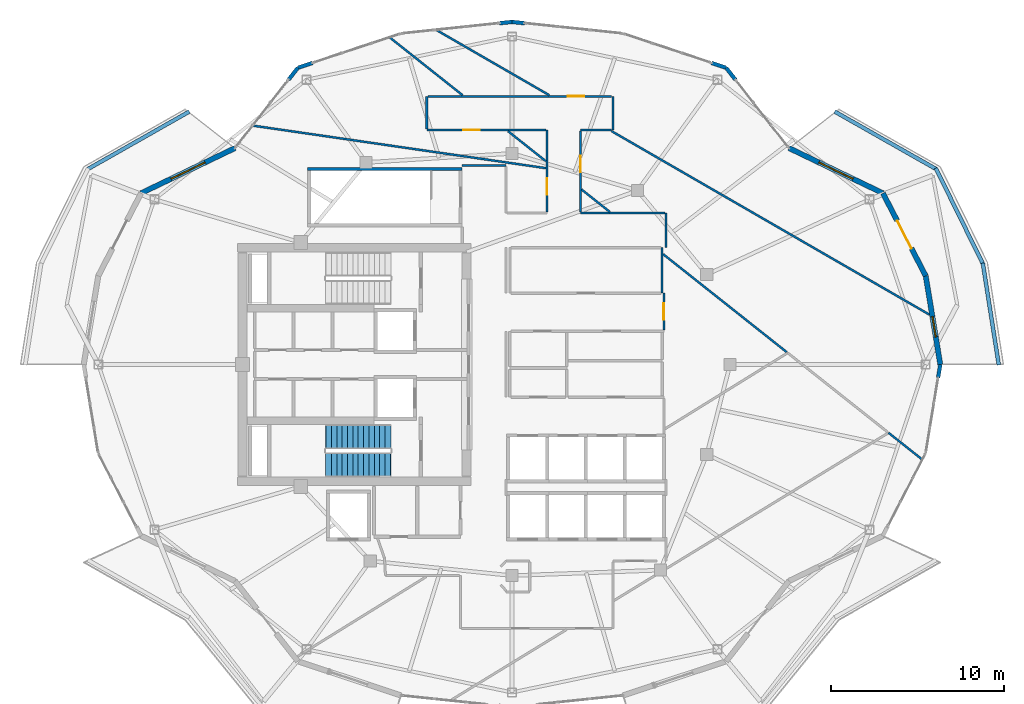
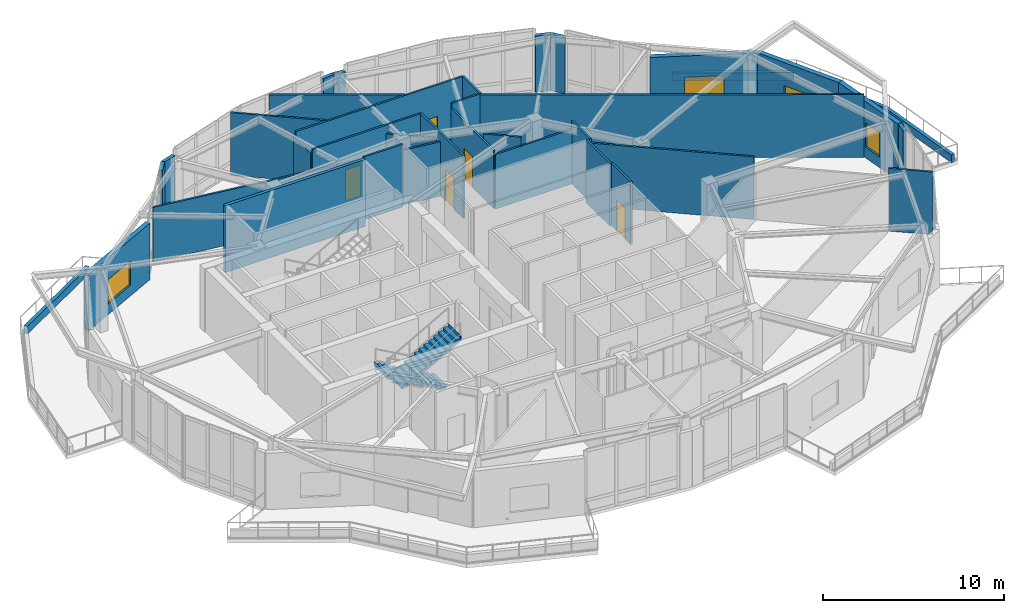
# One storey, part 12 of 15: 36 walls, 6 doors, 3 windows, 2 stair flights, 9 openings, 1 element without a shape of its own.
"""IFC4 building model written with IfcOpenShell, lengths in metres."""

from ifc_helpers import new_model, si_unit, direction, frame, frame_2d, origin, place, context, subcontext, project, spatial, polyline, rectangle, outline, extrude, material, layer, layer_set, type_object, element, fill, aggregate, save


model = new_model("IFC4")

# Units and contexts
model_context = context("Model", 3, precision=1e-05, world=origin(), true_north=direction((0.0, 1.0)))
body_context = subcontext(model_context, "Body", "Model", "MODEL_VIEW")
ifc_project = project(units=[si_unit("LENGTHUNIT", "METRE"), si_unit("AREAUNIT", "SQUARE_METRE"), si_unit("VOLUMEUNIT", "CUBIC_METRE"), si_unit("PLANEANGLEUNIT", "RADIAN"), si_unit("MASSUNIT", "GRAM", prefix="KILO")], contexts=[model_context])

# Site, building, storey
site_placement = place(None, origin())
site = spatial("IfcSite", under=ifc_project, at=site_placement, CompositionType="ELEMENT")
building_placement = place(site_placement, origin())
building = spatial("IfcBuilding", under=site, at=building_placement, Name="Kolvaren Gate Tower and Convention Centre", CompositionType="ELEMENT")
storey_placement = place(building_placement, frame((0.0, 0.0, 191.89990234375)))
storey = spatial("IfcBuildingStorey", under=building, at=storey_placement, Name="L50", CompositionType="ELEMENT", Elevation=191.89990234375)

# Walls
ifc_material_1 = material(Name="Fire-Rated Acoustic Gypsum Stud Partition", Category="gypsum")
ifc_layer_1 = layer(ifc_material_1, 0.1201171875)
ifc_layer_set_1 = layer_set([ifc_layer_1], Name="Fire-Rated Acoustic Gypsum Stud Partition")
wall_type_1 = type_object("IfcWallType", Name="ARCH-WL-PART-120", PredefinedType="PARTITIONING", material=ifc_layer_set_1)
wall_1_placement = place(storey_placement, frame((38.800048828125, 31.1201171875, 0.0), z_axis=(0.0, 0.0, 1.0), x_axis=(0.0, 1.0, 0.0)))
element("IfcWall", 1, at=wall_1_placement, inside=storey, type_object=wall_type_1, Name="Interior Partition WL-L50-INT-024", PredefinedType="PARTITIONING", context=body_context, shape_type="SweptSolid", body=[
    extrude(rectangle(XDim=2.6298828125, YDim=0.1201171875, at=frame_2d((1.31494140625, 0.0))), origin(), (0.0, 0.0, 1.0), 4.22998046875),
])
wall_2_placement = place(storey_placement, frame((39.02001953125, 33.75, 0.0), z_axis=(0.0, 0.0, 1.0), x_axis=(0.0, 1.0, 0.0)))
element("IfcWall", 2, at=wall_2_placement, inside=storey, type_object=wall_type_1, Name="Interior Partition WL-L50-INT-028", PredefinedType="PARTITIONING", context=body_context, shape_type="SweptSolid", body=[
    extrude(rectangle(XDim=2.0, YDim=0.1201171875, at=frame_2d((1.0, 0.0))), origin(), (0.0, 0.0, 1.0), 4.22998046875),
])
wall_3_placement = place(storey_placement, frame((35.949951171875, 40.550048828125, 0.0), z_axis=(0.0, 0.0, 1.0), x_axis=(0.0, 1.0, 0.0)))
element("IfcWall", 3, at=wall_3_placement, inside=storey, type_object=wall_type_1, Name="Interior Partition WL-L50-INT-032", PredefinedType="PARTITIONING", context=body_context, shape_type="SweptSolid", body=[
    extrude(rectangle(XDim=1.949951171875, YDim=0.1201171875, at=frame_2d((0.97509765625, 0.0))), origin(), (0.0, 0.0, 1.0), 4.22998046875),
])
wall_4_placement = place(storey_placement, frame((27.25, 38.5, 0.0), z_axis=(0.0, 0.0, 1.0), x_axis=(1.0, 0.0, 0.0)))
element("IfcWall", 4, at=wall_4_placement, inside=storey, type_object=wall_type_1, Name="Interior Partition WL-L50-INT-038", PredefinedType="PARTITIONING", context=body_context, shape_type="SweptSolid", body=[
    extrude(rectangle(XDim=2.530029296875, YDim=0.1201171875, at=frame_2d((1.26513671875, 0.0))), origin(), (0.0, 0.0, 1.0), 4.22998046875),
])
wall_5_placement = place(storey_placement, frame((34.080078125, 35.75, 0.0), z_axis=(0.0, 0.0, 1.0), x_axis=(1.0, 0.0, 0.0)))
element("IfcWall", 5, at=wall_5_placement, inside=storey, type_object=wall_type_1, Name="Interior Partition WL-L50-INT-044", PredefinedType="PARTITIONING", context=body_context, shape_type="SweptSolid", body=[
    extrude(rectangle(XDim=4.8779296875, YDim=0.1201171875, at=frame_2d((2.43896484375, 0.0))), origin(), (0.0, 0.0, 1.0), 3.677978515625),
])

# Wall, opening, door
wall_6_placement = place(storey_placement, frame((32.14990234375, 35.81201171875, 0.0), z_axis=(0.0, 0.0, 1.0), x_axis=(0.0, 1.0, 0.0)))
wall_6 = element("IfcWall", 6, at=wall_6_placement, inside=storey, type_object=wall_type_1, Name="Interior Partition WL-L50-INT-045", PredefinedType="PARTITIONING", context=body_context, shape_type="SweptSolid", body=[
    extrude(rectangle(XDim=4.738037109375, YDim=0.1201171875, at=frame_2d((2.369140625, 0.0))), origin(), (0.0, 0.0, 1.0), 4.22998046875),
])
opening_1_placement = place(wall_6_placement, frame((0.994384765625, 0.0, 0.0)))
opening_1 = element("IfcOpeningElement", 7, at=opening_1_placement, cuts=wall_6, Name="Opening DR-01", PredefinedType="OPENING", context=body_context, shape_type="SweptSolid", body=[
    extrude(rectangle(XDim=0.949951171875, YDim=2.10009765625, at=frame_2d((0.47509765625, 1.050048828125))), frame((0.0, 0.070068359375, 0.0), z_axis=(0.0, -1.0, 0.0), x_axis=(1.0, 0.0, 0.0)), (0.0, 0.0, 1.0), 0.14013671875),
])
ifc_material_2 = material(Name="Painted Architectural Steelwork ASTM A500 Grade C 345 MPa", Category="steel")
door_type_1 = type_object("IfcDoorType", Name="ARCH-DR-RISER-950", OperationType="SINGLE_SWING_RIGHT", PredefinedType="DOOR", material=ifc_material_2)
door_1_placement = place(opening_1_placement, origin())
door_1 = element("IfcDoor", 8, at=door_1_placement, inside=storey, type_object=door_type_1, Name="High-Zone Sky Boutique Door", OperationType="SINGLE_SWING_LEFT", OverallHeight=2.10009765625, OverallWidth=0.949951171875, PredefinedType="DOOR", context=body_context, shape_type="SweptSolid", body=[
    extrude(rectangle(XDim=0.949951171875, YDim=2.10009765625, at=frame_2d((0.47509765625, 1.050048828125))), frame((0.0, 0.02490234375, 0.0), z_axis=(0.0, -1.0, 0.0), x_axis=(1.0, 0.0, 0.0)), (0.0, 0.0, 1.0), 0.050048828125),
])
fill(opening_1, door_1)

wall_7_placement = place(storey_placement, frame((25.199951171875, 40.550048828125, 0.0), z_axis=(0.0, 0.0, 1.0), x_axis=(1.0, 0.0, 0.0)))
wall_7 = element("IfcWall", 9, at=wall_7_placement, inside=storey, type_object=wall_type_1, Name="Interior Partition WL-L50-INT-046", PredefinedType="PARTITIONING", context=body_context, shape_type="SweptSolid", body=[
    extrude(rectangle(XDim=6.887939453125, YDim=0.1201171875, at=frame_2d((3.44384765625, 0.0))), origin(), (0.0, 0.0, 1.0), 4.22998046875),
])
opening_2_placement = place(wall_7_placement, frame((2.113037109375, 0.0, 0.0)))
opening_2 = element("IfcOpeningElement", 10, at=opening_2_placement, cuts=wall_7, Name="Opening DR-01", PredefinedType="OPENING", context=body_context, shape_type="SweptSolid", body=[
    extrude(rectangle(XDim=0.949951171875, YDim=2.10009765625, at=frame_2d((0.47509765625, 1.050048828125))), frame((0.0, 0.070068359375, 0.0), z_axis=(0.0, -1.0, 0.0), x_axis=(1.0, 0.0, 0.0)), (0.0, 0.0, 1.0), 0.14013671875),
])
door_2_placement = place(opening_2_placement, origin())
door_2 = element("IfcDoor", 11, at=door_2_placement, inside=storey, type_object=door_type_1, Name="Artisan Jewellery Showroom Door", OperationType="SINGLE_SWING_RIGHT", OverallHeight=2.10009765625, OverallWidth=0.949951171875, PredefinedType="DOOR", context=body_context, shape_type="SweptSolid", body=[
    extrude(rectangle(XDim=0.949951171875, YDim=2.10009765625, at=frame_2d((0.47509765625, 1.050048828125))), frame((0.0, 0.02490234375, 0.0), z_axis=(0.0, -1.0, 0.0), x_axis=(1.0, 0.0, 0.0)), (0.0, 0.0, 1.0), 0.050048828125),
])
fill(opening_2, door_2)

# Walls
wall_8_placement = place(storey_placement, frame((34.080078125, 40.550048828125, 0.0), z_axis=(0.0, 0.0, 1.0), x_axis=(1.0, 0.0, 0.0)))
element("IfcWall", 12, at=wall_8_placement, inside=storey, type_object=wall_type_1, Name="Interior Partition WL-L50-INT-047", PredefinedType="PARTITIONING", context=body_context, shape_type="SweptSolid", body=[
    extrude(rectangle(XDim=1.807861328125, YDim=0.1201171875, at=frame_2d((0.90380859375, 0.0))), origin(), (0.0, 0.0, 1.0), 4.22998046875),
])
wall_9_placement = place(storey_placement, frame((25.199951171875, 40.612060546875, 0.0), z_axis=(0.0, 0.0, 1.0), x_axis=(0.0, 1.0, 0.0)))
element("IfcWall", 13, at=wall_9_placement, inside=storey, type_object=wall_type_1, Name="Interior Partition WL-L50-INT-048", PredefinedType="PARTITIONING", context=body_context, shape_type="SweptSolid", body=[
    extrude(rectangle(XDim=1.887939453125, YDim=0.1201171875, at=frame_2d((0.94384765625, 0.0))), origin(), (0.0, 0.0, 1.0), 3.912109375),
])

# Wall, opening, door
wall_10_placement = place(storey_placement, frame((25.261962890625, 42.5, 0.0), z_axis=(0.0, 0.0, 1.0), x_axis=(1.0, 0.0, 0.0)))
wall_10 = element("IfcWall", 14, at=wall_10_placement, inside=storey, type_object=wall_type_1, Name="Interior Partition WL-L50-INT-049", PredefinedType="PARTITIONING", context=body_context, shape_type="SweptSolid", body=[
    extrude(rectangle(XDim=10.6259765625, YDim=0.1201171875, at=frame_2d((5.31298828125, 0.0))), origin(), (0.0, 0.0, 1.0), 4.22998046875),
])
opening_3_placement = place(wall_10_placement, frame((8.077392578125, 0.0, 0.0)))
opening_3 = element("IfcOpeningElement", 15, at=opening_3_placement, cuts=wall_10, Name="Opening DR-01", PredefinedType="OPENING", context=body_context, shape_type="SweptSolid", body=[
    extrude(rectangle(XDim=0.949951171875, YDim=2.10009765625, at=frame_2d((0.47509765625, 1.050048828125))), frame((0.0, 0.070068359375, 0.0), z_axis=(0.0, -1.0, 0.0), x_axis=(1.0, 0.0, 0.0)), (0.0, 0.0, 1.0), 0.14013671875),
])
door_3_placement = place(opening_3_placement, origin())
door_3 = element("IfcDoor", 16, at=door_3_placement, inside=storey, type_object=door_type_1, Name="High-Zone Sky Boutique Door", OperationType="SINGLE_SWING_LEFT", OverallHeight=2.10009765625, OverallWidth=0.949951171875, PredefinedType="DOOR", context=body_context, shape_type="SweptSolid", body=[
    extrude(rectangle(XDim=0.949951171875, YDim=2.10009765625, at=frame_2d((0.47509765625, 1.050048828125))), frame((0.0, 0.02490234375, 0.0), z_axis=(0.0, -1.0, 0.0), x_axis=(1.0, 0.0, 0.0)), (0.0, 0.0, 1.0), 0.050048828125),
])
fill(opening_3, door_3)

wall_11_placement = place(storey_placement, frame((34.080078125, 35.81201171875, 0.0), z_axis=(0.0, 0.0, 1.0), x_axis=(0.0, 1.0, 0.0)))
wall_11 = element("IfcWall", 17, at=wall_11_placement, inside=storey, type_object=wall_type_1, Name="Interior Partition WL-L50-INT-050", PredefinedType="PARTITIONING", context=body_context, shape_type="SweptSolid", body=[
    extrude(rectangle(XDim=4.676025390625, YDim=0.1201171875, at=frame_2d((2.337890625, 0.0))), origin(), (0.0, 0.0, 1.0), 3.912109375),
])
opening_4_placement = place(wall_11_placement, frame((2.304931640625, 0.0, 0.0)))
opening_4 = element("IfcOpeningElement", 18, at=opening_4_placement, cuts=wall_11, Name="Opening DR-01", PredefinedType="OPENING", context=body_context, shape_type="SweptSolid", body=[
    extrude(rectangle(XDim=0.949951171875, YDim=2.10009765625, at=frame_2d((0.47509765625, 1.050048828125))), frame((0.0, 0.070068359375, 0.0), z_axis=(0.0, -1.0, 0.0), x_axis=(1.0, 0.0, 0.0)), (0.0, 0.0, 1.0), 0.14013671875),
])
door_4_placement = place(opening_4_placement, origin())
door_4 = element("IfcDoor", 19, at=door_4_placement, inside=storey, type_object=door_type_1, Name="Sky Design Gallery Showroom Door", OperationType="SINGLE_SWING_RIGHT", OverallHeight=2.10009765625, OverallWidth=0.949951171875, PredefinedType="DOOR", context=body_context, shape_type="SweptSolid", body=[
    extrude(rectangle(XDim=0.949951171875, YDim=2.10009765625, at=frame_2d((0.47509765625, 1.050048828125))), frame((0.0, 0.02490234375, 0.0), z_axis=(0.0, -1.0, 0.0), x_axis=(1.0, 0.0, 0.0)), (0.0, 0.0, 1.0), 0.050048828125),
])
fill(opening_4, door_4)

wall_12_placement = place(storey_placement, frame((38.89990234375, 28.9970703125, 0.0), z_axis=(0.0, 0.0, 1.0), x_axis=(0.0, 1.0, 0.0)))
wall_12 = element("IfcWall", 20, at=wall_12_placement, inside=storey, type_object=wall_type_1, Name="Interior Partition WL-L50-INT-052", PredefinedType="PARTITIONING", context=body_context, shape_type="SweptSolid", body=[
    extrude(rectangle(XDim=2.123046875, YDim=0.1201171875, at=frame_2d((1.0615234375, 0.0))), origin(), (0.0, 0.0, 1.0), 4.22998046875),
])
opening_5_placement = place(wall_12_placement, frame((0.58642578125, 0.0, 0.0)))
opening_5 = element("IfcOpeningElement", 21, at=opening_5_placement, cuts=wall_12, Name="Opening DR-01", PredefinedType="OPENING", context=body_context, shape_type="SweptSolid", body=[
    extrude(rectangle(XDim=0.949951171875, YDim=2.10009765625, at=frame_2d((0.47509765625, 1.050048828125))), frame((0.0, 0.070068359375, 0.0), z_axis=(0.0, -1.0, 0.0), x_axis=(1.0, 0.0, 0.0)), (0.0, 0.0, 1.0), 0.14013671875),
])
door_5_placement = place(opening_5_placement, origin())
door_5 = element("IfcDoor", 22, at=door_5_placement, inside=storey, type_object=door_type_1, Name="High-Zone Transfer Reception Door", OperationType="SINGLE_SWING_LEFT", OverallHeight=2.10009765625, OverallWidth=0.949951171875, PredefinedType="DOOR", context=body_context, shape_type="SweptSolid", body=[
    extrude(rectangle(XDim=0.949951171875, YDim=2.10009765625, at=frame_2d((0.47509765625, 1.050048828125))), frame((0.0, 0.02490234375, 0.0), z_axis=(0.0, -1.0, 0.0), x_axis=(1.0, 0.0, 0.0)), (0.0, 0.0, 1.0), 0.050048828125),
])
fill(opening_5, door_5)

# Walls
wall_13_placement = place(storey_placement, frame((15.16162109375, 40.803466796875, 0.0), z_axis=(0.0, 0.0, 1.0), x_axis=(0.9896318604, -0.143627228896, 0.0)))
element("IfcWall", 23, at=wall_13_placement, inside=storey, type_object=wall_type_1, Name="Interior Partition WL-L50-INT-057", PredefinedType="PARTITIONING", context=body_context, shape_type="SweptSolid", body=[
    extrude(rectangle(XDim=17.103515625, YDim=0.1201171875, at=frame_2d((8.5517578125, 0.0))), origin(), (0.0, 0.0, 1.0), 3.677978515625),
])
wall_14_placement = place(storey_placement, frame((23.076171875, 45.887939453125, 0.0), z_axis=(0.0, 0.0, 1.0), x_axis=(0.78369436583, -0.62114663403, 0.0)))
element("IfcWall", 24, at=wall_14_placement, inside=storey, type_object=wall_type_1, Name="Interior Partition WL-L50-INT-062", PredefinedType="PARTITIONING", context=body_context, shape_type="SweptSolid", body=[
    extrude(rectangle(XDim=5.3544921875, YDim=0.1201171875, at=frame_2d((2.67724609375, 0.0))), origin(), (0.0, 0.0, 1.0), 4.22998046875),
])
wall_15_placement = place(storey_placement, frame((29.88916015625, 40.488037109375, 0.0), z_axis=(0.0, 0.0, 1.0), x_axis=(0.783653963105, -0.62119760633, 0.0)))
element("IfcWall", 25, at=wall_15_placement, inside=storey, type_object=wall_type_1, Name="Interior Partition WL-L50-INT-063", PredefinedType="PARTITIONING", context=body_context, shape_type="SweptSolid", body=[
    extrude(rectangle(XDim=2.8056640625, YDim=0.1201171875, at=frame_2d((1.40283203125, 0.0))), origin(), (0.0, 0.0, 1.0), 3.677978515625),
])
wall_16_placement = place(storey_placement, frame((34.14208984375, 37.1171875, 0.0), z_axis=(0.0, 0.0, 1.0), x_axis=(0.783649817648, -0.621202835876, 0.0)))
element("IfcWall", 26, at=wall_16_placement, inside=storey, type_object=wall_type_1, Name="Interior Partition WL-L50-INT-064", PredefinedType="PARTITIONING", context=body_context, shape_type="SweptSolid", body=[
    extrude(rectangle(XDim=2.10107421875, YDim=0.1201171875, at=frame_2d((1.050537109375, 0.0))), origin(), (0.0, 0.0, 1.0), 4.22998046875),
])
wall_17_placement = place(storey_placement, frame((38.862060546875, 33.3759765625, 0.0), z_axis=(0.0, 0.0, 1.0), x_axis=(0.78368115762, -0.621163298329, 0.0)))
element("IfcWall", 27, at=wall_17_placement, inside=storey, type_object=wall_type_1, Name="Interior Partition WL-L50-INT-065", PredefinedType="PARTITIONING", context=body_context, shape_type="SweptSolid", body=[
    extrude(rectangle(XDim=9.112548828125, YDim=0.1201171875, at=frame_2d((4.55615234375, 0.0))), origin(), (0.0, 0.0, 1.0), 4.22998046875),
])
wall_18_placement = place(storey_placement, frame((51.880859375, 23.056884765625, 0.0), z_axis=(0.0, 0.0, 1.0), x_axis=(0.783717801237, -0.62111706467, 0.0)))
element("IfcWall", 28, at=wall_18_placement, inside=storey, type_object=wall_type_1, Name="Interior Partition WL-L50-INT-065 (3)", PredefinedType="PARTITIONING", context=body_context, shape_type="SweptSolid", body=[
    extrude(rectangle(XDim=2.475830078125, YDim=0.1201171875, at=frame_2d((1.23779296875, 0.0))), origin(), (0.0, 0.0, 1.0), 4.22998046875),
])
wall_19_placement = place(storey_placement, frame((25.77587890625, 46.31884765625, 0.0), z_axis=(0.0, 0.0, 1.0), x_axis=(0.866051412203, -0.499954949392, 0.0)))
element("IfcWall", 29, at=wall_19_placement, inside=storey, type_object=wall_type_1, Name="Interior Partition WL-L50-INT-066", PredefinedType="PARTITIONING", context=body_context, shape_type="SweptSolid", body=[
    extrude(rectangle(XDim=7.514404296875, YDim=0.1201171875, at=frame_2d((3.75732421875, 0.0))), origin(), (0.0, 0.0, 1.0), 4.22998046875),
])
wall_20_placement = place(storey_placement, frame((35.87646484375, 40.488037109375, 0.0), z_axis=(0.0, 0.0, 1.0), x_axis=(0.866056021905, -0.49994696411, 0.0)))
element("IfcWall", 30, at=wall_20_placement, inside=storey, type_object=wall_type_1, Name="Interior Partition WL-L50-INT-067", PredefinedType="PARTITIONING", context=body_context, shape_type="SweptSolid", body=[
    extrude(rectangle(XDim=21.211181640625, YDim=0.1201171875, at=frame_2d((10.60546875, 0.0))), origin(), (0.0, 0.0, 1.0), 4.22998046875),
])
ifc_material_3 = material(Name="Bogota Sabana Bush-Hammered Sandstone Cladding", Category="masonry")
ifc_layer_2 = layer(ifc_material_3, 0.219970703125)
ifc_layer_set_2 = layer_set([ifc_layer_2], Name="Bogota Sabana Bush-Hammered Sandstone Cladding")
wall_type_2 = type_object("IfcWallType", Name="ARCH-WL-PIER-220", PredefinedType="SOLIDWALL", material=ifc_layer_set_2)
wall_21_placement = place(storey_placement, frame((42.5, 44.147216796875, 0.0), z_axis=(0.0, 0.0, 1.0), x_axis=(0.61650363284, -0.787352062736, 0.0)))
element("IfcWall", 31, at=wall_21_placement, inside=storey, type_object=wall_type_2, Name="L50 Panoramic Structural Curtain Wall CW-03 Left Column Pier Wrap", PredefinedType="SOLIDWALL", context=body_context, shape_type="SweptSolid", body=[
    extrude(rectangle(XDim=0.8759765625, YDim=0.219970703125, at=frame_2d((0.43798828125, 0.0))), origin(), (0.0, 0.0, 1.0), 3.80517578125),
])
wall_22_placement = place(storey_placement, frame((41.650146484375, 44.428955078125, 0.0), z_axis=(0.0, 0.0, 1.0), x_axis=(0.949200117388, -0.314673063909, 0.0)))
element("IfcWall", 32, at=wall_22_placement, inside=storey, type_object=wall_type_2, Name="L50 Panoramic Structural Curtain Wall CW-04 Right Column Pier Wrap", PredefinedType="SOLIDWALL", context=body_context, shape_type="SweptSolid", body=[
    extrude(rectangle(XDim=0.895263671875, YDim=0.219970703125, at=frame_2d((0.44775390625, 0.0))), origin(), (0.0, 0.0, 1.0), 3.80517578125),
])
for number, where, z_axis, x_axis, name in (
    (33, (30.125, 46.800048828125, 0.0), (0.0, 0.0, 1.0), (0.994492602029, -0.104806796106, 0.0), "L50 Panoramic Structural Curtain Wall CW-05 Left Column Pier Wrap"),
    (34, (29.39990234375, 46.7236328125, 0.0), (0.0, 0.0, 1.0), (0.994492602029, 0.104806796106, 0.0), "L50 Panoramic Structural Curtain Wall CW-06 Right Column Pier Wrap"),
):
    element("IfcWall", number, at=place(storey_placement, frame(where, z_axis=z_axis, x_axis=x_axis)), inside=storey, type_object=wall_type_2, Name=name, PredefinedType="SOLIDWALL", context=body_context, shape_type="SweptSolid", body=[
        extrude(rectangle(XDim=0.72900390625, YDim=0.219970703125, at=frame_2d((0.364501953125, 0.0))), origin(), (0.0, 0.0, 1.0), 3.80517578125),
    ])
wall_23_placement = place(storey_placement, frame((17.75, 44.147216796875, 0.0), z_axis=(0.0, 0.0, 1.0), x_axis=(0.949254567626, 0.314508769101, 0.0)))
element("IfcWall", 35, at=wall_23_placement, inside=storey, type_object=wall_type_2, Name="L50 Panoramic Structural Curtain Wall CW-07 Left Column Pier Wrap", PredefinedType="SOLIDWALL", context=body_context, shape_type="SweptSolid", body=[
    extrude(rectangle(XDim=0.89501953125, YDim=0.219970703125, at=frame_2d((0.447509765625, 0.0))), origin(), (0.0, 0.0, 1.0), 3.80517578125),
])
wall_24_placement = place(storey_placement, frame((17.210205078125, 43.457763671875, 0.0), z_axis=(0.0, 0.0, 1.0), x_axis=(0.616466126167, 0.787381429352, 0.0)))
element("IfcWall", 36, at=wall_24_placement, inside=storey, type_object=wall_type_2, Name="L50 Panoramic Structural Curtain Wall CW-08 Right Column Pier Wrap", PredefinedType="SOLIDWALL", context=body_context, shape_type="SweptSolid", body=[
    extrude(rectangle(XDim=0.875732421875, YDim=0.219970703125, at=frame_2d((0.43798828125, 0.0))), origin(), (0.0, 0.0, 1.0), 3.80517578125),
])
wall_25_placement = place(storey_placement, frame((54.748779296875, 26.23291015625, 0.0), z_axis=(0.0, 0.0, 1.0), x_axis=(0.162361584084, 0.986731329194, 0.0)))
element("IfcWall", 37, at=wall_25_placement, inside=storey, type_object=wall_type_2, Name="L50 Panoramic Structural Curtain Wall CW-23 Right Column Pier Wrap", PredefinedType="SOLIDWALL", context=body_context, shape_type="SweptSolid", body=[
    extrude(rectangle(XDim=0.77734375, YDim=0.219970703125, at=frame_2d((0.388671875, 0.0))), origin(), (0.0, 0.0, 1.0), 3.80517578125),
])
ifc_material_4 = material(Name="Piedmont Cream Honed Limestone Cladding", Category="masonry")
ifc_layer_3 = layer(ifc_material_4, 0.219970703125)
ifc_layer_set_3 = layer_set([ifc_layer_3], Name="Piedmont Cream Honed Limestone Cladding")
wall_type_3 = type_object("IfcWallType", Name="ARCH-WL-PLANTER-220", PredefinedType="PARAPET", material=ifc_layer_set_3)
wall_26_placement = place(storey_placement, frame((57.331787109375, 32.8623046875, 0.0), z_axis=(0.0, 0.0, 1.0), x_axis=(0.1550711793, -0.987903299595, 0.0)))
element("IfcWall", 38, at=wall_26_placement, inside=storey, type_object=wall_type_3, Name="Vertical-Forest Balcony Stone Planter Kerb PK-L50-1.1", PredefinedType="PARAPET", context=body_context, shape_type="SweptSolid", body=[
    extrude(rectangle(XDim=5.963623046875, YDim=0.219970703125, at=frame_2d((2.98193359375, 0.0))), origin(), (0.0, 0.0, 1.0), 0.52001953125),
])
wall_27_placement = place(storey_placement, frame((54.615966796875, 38.3466796875, 0.0), z_axis=(0.0, 0.0, 1.0), x_axis=(0.441640961804, -0.897191875162, 0.0)))
element("IfcWall", 39, at=wall_27_placement, inside=storey, type_object=wall_type_3, Name="Vertical-Forest Balcony Stone Planter Kerb PK-L50-1.2", PredefinedType="PARAPET", context=body_context, shape_type="SweptSolid", body=[
    extrude(rectangle(XDim=6.17822265625, YDim=0.219970703125, at=frame_2d((3.089111328125, 0.0))), origin(), (0.0, 0.0, 1.0), 0.52001953125),
])
for number, where, z_axis, x_axis, name in (
    (40, (48.7763671875, 41.61669921875, 0.0), (0.0, 0.0, 1.0), (0.869860619267, -0.493297580623, 0.0), "Vertical-Forest Balcony Stone Planter Kerb PK-L50-1.3"),
    (41, (5.6083984375, 38.29052734375, 0.0), (0.0, 0.0, 1.0), (0.869860619267, 0.493297580623, 0.0), "Vertical-Forest Balcony Stone Planter Kerb PK-L50-2.1"),
):
    element("IfcWall", number, at=place(storey_placement, frame(where, z_axis=z_axis, x_axis=x_axis)), inside=storey, type_object=wall_type_3, Name=name, PredefinedType="PARAPET", context=body_context, shape_type="SweptSolid", body=[
        extrude(rectangle(XDim=6.74267578125, YDim=0.219970703125, at=frame_2d((3.371337890625, 0.0))), origin(), (0.0, 0.0, 1.0), 0.52001953125),
    ])

# Wall, opening, window
ifc_layer_4 = layer(ifc_material_4, 0.300048828125)
ifc_layer_set_4 = layer_set([ifc_layer_4], Name="Piedmont Cream Honed Limestone Cladding")
wall_type_4 = type_object("IfcWallType", Name="ARCH-WL-STONE-300", PredefinedType="SOLIDWALL", material=ifc_layer_set_4)
wall_28_placement = place(storey_placement, frame((54.03173828125, 32.12451171875, 0.0), z_axis=(0.0, 0.0, 1.0), x_axis=(0.16237087798, -0.986729799886, 0.0)))
wall_28 = element("IfcWall", 42, at=wall_28_placement, inside=storey, type_object=wall_type_4, Name="Tower L50 Honed Stone Spandrel Wall EW-00", PredefinedType="SOLIDWALL", context=body_context, shape_type="SweptSolid", body=[
    extrude(rectangle(XDim=5.193359375, YDim=0.300048828125, at=frame_2d((2.5966796875, 0.0))), origin(), (0.0, 0.0, 1.0), 3.80517578125),
])
opening_6_placement = place(wall_28_placement, frame((2.3798828125, 0.0, 0.719970703125)))
opening_6 = element("IfcOpeningElement", 43, at=opening_6_placement, cuts=wall_28, Name="Opening W-04", PredefinedType="OPENING", context=body_context, shape_type="SweptSolid", body=[
    extrude(rectangle(XDim=1.199951171875, YDim=1.64990234375, at=frame_2d((0.60009765625, 0.824951171875))), frame((0.0, 0.159912109375, 0.0), z_axis=(0.0, -1.0, 0.0), x_axis=(1.0, 0.0, 0.0)), (0.0, 0.0, 1.0), 0.320068359375),
])
ifc_material_5 = material(Name="Low-E Triple Insulated Glazing Unit 44 mm", Category="glass")
window_type_1 = type_object("IfcWindowType", Name="ARCH-WN-NARROW-1200", PartitioningType="SINGLE_PANEL", PredefinedType="WINDOW", material=ifc_material_5)
window_1_placement = place(opening_6_placement, origin())
window_1 = element("IfcWindow", 44, at=window_1_placement, inside=storey, type_object=window_type_1, Name="Tower L50 Punched Stone Facade Window W-00", OverallHeight=1.64990234375, OverallWidth=1.199951171875, PartitioningType="SINGLE_PANEL", PredefinedType="WINDOW", context=body_context, shape_type="SweptSolid", body=[
    extrude(rectangle(XDim=1.199951171875, YDim=1.64990234375, at=frame_2d((0.60009765625, 0.824951171875))), frame((0.0, 0.030029296875, 0.0), z_axis=(0.0, -1.0, 0.0), x_axis=(1.0, 0.0, 0.0)), (0.0, 0.0, 1.0), 0.06005859375),
])
fill(opening_6, window_1)

# Wall, opening, door
wall_29_placement = place(storey_placement, frame((51.55908203125, 36.89990234375, 0.0), z_axis=(0.0, 0.0, 1.0), x_axis=(0.459808219482, -0.888018243786, 0.0)))
wall_29 = element("IfcWall", 45, at=wall_29_placement, inside=storey, type_object=wall_type_4, Name="Tower L50 Honed Stone Spandrel Wall EW-01", PredefinedType="SOLIDWALL", context=body_context, shape_type="SweptSolid", body=[
    extrude(rectangle(XDim=5.377685546875, YDim=0.300048828125, at=frame_2d((2.68896484375, 0.0))), origin(), (0.0, 0.0, 1.0), 3.80517578125),
])
opening_7_placement = place(wall_29_placement, frame((1.7890625, 0.0, 0.0)))
opening_7 = element("IfcOpeningElement", 46, at=opening_7_placement, cuts=wall_29, Name="Opening DB-01", PredefinedType="OPENING", context=body_context, shape_type="SweptSolid", body=[
    extrude(rectangle(XDim=1.800048828125, YDim=2.25, at=frame_2d((0.89990234375, 1.125))), frame((0.0, 0.159912109375, 0.0), z_axis=(0.0, -1.0, 0.0), x_axis=(1.0, 0.0, 0.0)), (0.0, 0.0, 1.0), 0.320068359375),
])
ifc_material_6 = material(Name="Anodized Architectural Aluminium Alloy 6063-T6", Category="aluminium")
door_type_2 = type_object("IfcDoorType", Name="ARCH-DR-BALC-1800", OperationType="SLIDING_TO_LEFT", PredefinedType="DOOR", material=ifc_material_6)
door_6_placement = place(opening_7_placement, origin())
door_6 = element("IfcDoor", 47, at=door_6_placement, inside=storey, type_object=door_type_2, Name="Planted Sky Terrace Access Door DB-L50-01", OperationType="SLIDING_TO_LEFT", OverallHeight=2.25, OverallWidth=1.800048828125, PredefinedType="DOOR", context=body_context, shape_type="SweptSolid", body=[
    extrude(rectangle(XDim=1.800048828125, YDim=2.25, at=frame_2d((0.89990234375, 1.125))), frame((0.0, 0.02490234375, 0.0), z_axis=(0.0, -1.0, 0.0), x_axis=(1.0, 0.0, 0.0)), (0.0, 0.0, 1.0), 0.050048828125),
])
fill(opening_7, door_6)

# Wall, opening, window
wall_30_placement = place(storey_placement, frame((46.132568359375, 39.50732421875, 0.0), z_axis=(0.0, 0.0, 1.0), x_axis=(0.901348331142, -0.433094892545, 0.0)))
wall_30 = element("IfcWall", 48, at=wall_30_placement, inside=storey, type_object=wall_type_4, Name="Tower L50 Honed Stone Spandrel Wall EW-02", PredefinedType="SOLIDWALL", context=body_context, shape_type="SweptSolid", body=[
    extrude(rectangle(XDim=6.0205078125, YDim=0.300048828125, at=frame_2d((3.01025390625, 0.0))), origin(), (0.0, 0.0, 1.0), 3.80517578125),
])
opening_8_placement = place(wall_30_placement, frame((1.909912109375, 0.0, 0.719970703125)))
opening_8 = element("IfcOpeningElement", 49, at=opening_8_placement, cuts=wall_30, Name="Opening W-03", PredefinedType="OPENING", context=body_context, shape_type="SweptSolid", body=[
    extrude(rectangle(XDim=2.199951171875, YDim=1.64990234375, at=frame_2d((1.10009765625, 0.824951171875))), frame((0.0, 0.159912109375, 0.0), z_axis=(0.0, -1.0, 0.0), x_axis=(1.0, 0.0, 0.0)), (0.0, 0.0, 1.0), 0.320068359375),
])
window_type_2 = type_object("IfcWindowType", Name="ARCH-WN-RES-2200", PartitioningType="SINGLE_PANEL", PredefinedType="WINDOW", material=ifc_material_5)
window_2_placement = place(opening_8_placement, origin())
window_2 = element("IfcWindow", 50, at=window_2_placement, inside=storey, type_object=window_type_2, Name="Tower L50 Punched Stone Facade Window W-02", OverallHeight=1.64990234375, OverallWidth=2.199951171875, PartitioningType="SINGLE_PANEL", PredefinedType="WINDOW", context=body_context, shape_type="SweptSolid", body=[
    extrude(rectangle(XDim=2.199951171875, YDim=1.64990234375, at=frame_2d((1.10009765625, 0.824951171875))), frame((0.0, 0.030029296875, 0.0), z_axis=(0.0, -1.0, 0.0), x_axis=(1.0, 0.0, 0.0)), (0.0, 0.0, 1.0), 0.06005859375),
])
fill(opening_8, window_2)

wall_31_placement = place(storey_placement, frame((8.69091796875, 36.89990234375, 0.0), z_axis=(0.0, 0.0, 1.0), x_axis=(0.901348331142, 0.433094892545, 0.0)))
wall_31 = element("IfcWall", 51, at=wall_31_placement, inside=storey, type_object=wall_type_4, Name="Tower L50 Honed Stone Spandrel Wall EW-09", PredefinedType="SOLIDWALL", context=body_context, shape_type="SweptSolid", body=[
    extrude(rectangle(XDim=6.0205078125, YDim=0.300048828125, at=frame_2d((3.01025390625, 0.0))), origin(), (0.0, 0.0, 1.0), 3.80517578125),
])
opening_9_placement = place(wall_31_placement, frame((1.909912109375, 0.0, 0.719970703125)))
opening_9 = element("IfcOpeningElement", 52, at=opening_9_placement, cuts=wall_31, Name="Opening W-03", PredefinedType="OPENING", context=body_context, shape_type="SweptSolid", body=[
    extrude(rectangle(XDim=2.199951171875, YDim=1.64990234375, at=frame_2d((1.10009765625, 0.824951171875))), frame((0.0, 0.159912109375, 0.0), z_axis=(0.0, -1.0, 0.0), x_axis=(1.0, 0.0, 0.0)), (0.0, 0.0, 1.0), 0.320068359375),
])
window_3_placement = place(opening_9_placement, origin())
window_3 = element("IfcWindow", 53, at=window_3_placement, inside=storey, type_object=window_type_2, Name="Tower L50 Punched Stone Facade Window W-09", OverallHeight=1.64990234375, OverallWidth=2.199951171875, PartitioningType="SINGLE_PANEL", PredefinedType="WINDOW", context=body_context, shape_type="SweptSolid", body=[
    extrude(rectangle(XDim=2.199951171875, YDim=1.64990234375, at=frame_2d((1.10009765625, 0.824951171875))), frame((0.0, 0.030029296875, 0.0), z_axis=(0.0, -1.0, 0.0), x_axis=(1.0, 0.0, 0.0)), (0.0, 0.0, 1.0), 0.06005859375),
])
fill(opening_9, window_3)

# Wall
ifc_material_7 = material(Name="Concrete C50/60", Category="concrete")
ifc_layer_5 = layer(ifc_material_7, 0.199951171875)
ifc_layer_set_5 = layer_set([ifc_layer_5], Name="Concrete C50/60")
wall_type_5 = type_object("IfcWallType", Name="STR-WL-SHAFT-200", PredefinedType="SHEAR", material=ifc_layer_set_5)
wall_32_placement = place(storey_placement, frame((18.300048828125, 38.300048828125, -0.27978515625), z_axis=(0.0, 0.0, 1.0), x_axis=(1.0, 0.0, 0.0)))
element("IfcWall", 54, at=wall_32_placement, inside=storey, type_object=wall_type_5, Name="Tower Mid-Zone Exit Stair ST-T3 L50 Structural Shear Enclosure Wall LEFT", PredefinedType="SHEAR", context=body_context, shape_type="SweptSolid", body=[
    extrude(rectangle(XDim=8.949951171875, YDim=0.199951171875, at=frame_2d((4.47509765625, 0.0))), origin(), (0.0, 0.0, 1.0), 4.509765625),
])

# Stair, stair flights
stair_type = type_object("IfcStairType", Name="STR-STAIR-CORE", PredefinedType="HALF_TURN_STAIR", material=ifc_material_7)
stair_placement = place(storey_placement, origin())
stair = element("IfcStair", 55, at=stair_placement, inside=storey, type_object=stair_type, Name="L50 Tower South Exit Stair ST-T2", PredefinedType="HALF_TURN_STAIR")
stair_flight_type = type_object("IfcStairFlightType", Name="STR-SFL-1420", PredefinedType="STRAIGHT", material=ifc_material_7)
stair_flight_1_placement = place(storey_placement, frame((23.10009765625, 22.830078125, 0.0), z_axis=(0.0, 0.0, 1.0), x_axis=(-1.0, 0.0, 0.0)))
stair_flight_1 = element("IfcStairFlight", 56, at=stair_flight_1_placement, type_object=stair_flight_type, Name="ST-T2 flight 1", NumberOfRisers=13, NumberOfTreads=12, PredefinedType="STRAIGHT", RiserHeight=0.173076923, TreadLength=0.31, context=body_context, shape_type="SweptSolid", body=[
    extrude(outline(polyline([(-0.034912109375, 0.0), (-0.034912109375, 0.173095703125), (0.31005859375, 0.173095703125), (0.31005859375, 0.34619140625), (0.6201171875, 0.34619140625), (0.6201171875, 0.519287109375), (0.929931640625, 0.519287109375), (0.929931640625, 0.6923828125), (1.239990234375, 0.6923828125), (1.239990234375, 0.865478515625), (1.550048828125, 0.865478515625), (1.550048828125, 1.03857421875), (1.860107421875, 1.03857421875), (1.860107421875, 1.21142578125), (2.169921875, 1.21142578125), (2.169921875, 1.384521484375), (2.47998046875, 1.384521484375), (2.47998046875, 1.5576171875), (2.7900390625, 1.5576171875), (2.7900390625, 1.730712890625), (3.10009765625, 1.730712890625), (3.10009765625, 1.90380859375), (3.409912109375, 1.90380859375), (3.409912109375, 2.076904296875), (3.719970703125, 2.076904296875), (3.719970703125, 2.25), (3.764892578125, 2.25), (3.764892578125, 2.090087890625), (3.719970703125, 1.9052734375), (0.3076171875, 0.0), (-0.034912109375, 0.0)])), frame((0.0, 0.7099609375, 0.0), z_axis=(0.0, -1.0, 0.0), x_axis=(1.0, 0.0, 0.0)), (0.0, 0.0, 1.0), 1.419921875),
])
stair_flight_2_placement = place(storey_placement, frame((19.3798828125, 21.2099609375, 2.25), z_axis=(0.0, 0.0, 1.0), x_axis=(1.0, 0.0, 0.0)))
stair_flight_2 = element("IfcStairFlight", 57, at=stair_flight_2_placement, type_object=stair_flight_type, Name="ST-T2 flight 2", NumberOfRisers=13, NumberOfTreads=12, PredefinedType="STRAIGHT", RiserHeight=0.173076923, TreadLength=0.31, context=body_context, shape_type="SweptSolid", body=[
    extrude(outline(polyline([(-0.034912109375, 0.0), (-0.034912109375, 0.173095703125), (0.31005859375, 0.173095703125), (0.31005859375, 0.34619140625), (0.6201171875, 0.34619140625), (0.6201171875, 0.519287109375), (0.929931640625, 0.519287109375), (0.929931640625, 0.6923828125), (1.239990234375, 0.6923828125), (1.239990234375, 0.865478515625), (1.550048828125, 0.865478515625), (1.550048828125, 1.03857421875), (1.860107421875, 1.03857421875), (1.860107421875, 1.21142578125), (2.169921875, 1.21142578125), (2.169921875, 1.384521484375), (2.47998046875, 1.384521484375), (2.47998046875, 1.5576171875), (2.7900390625, 1.5576171875), (2.7900390625, 1.730712890625), (3.10009765625, 1.730712890625), (3.10009765625, 1.90380859375), (3.409912109375, 1.90380859375), (3.409912109375, 2.076904296875), (3.719970703125, 2.076904296875), (3.719970703125, 2.25), (3.764892578125, 2.25), (3.764892578125, 2.090087890625), (3.719970703125, 1.9052734375), (0.3076171875, 0.0), (-0.034912109375, 0.0)])), frame((0.0, 0.7099609375, 0.0), z_axis=(0.0, -1.0, 0.0), x_axis=(1.0, 0.0, 0.0)), (0.0, 0.0, 1.0), 1.419921875),
])
aggregate(stair, [stair_flight_1, stair_flight_2])

save(model, "model.ifc")
